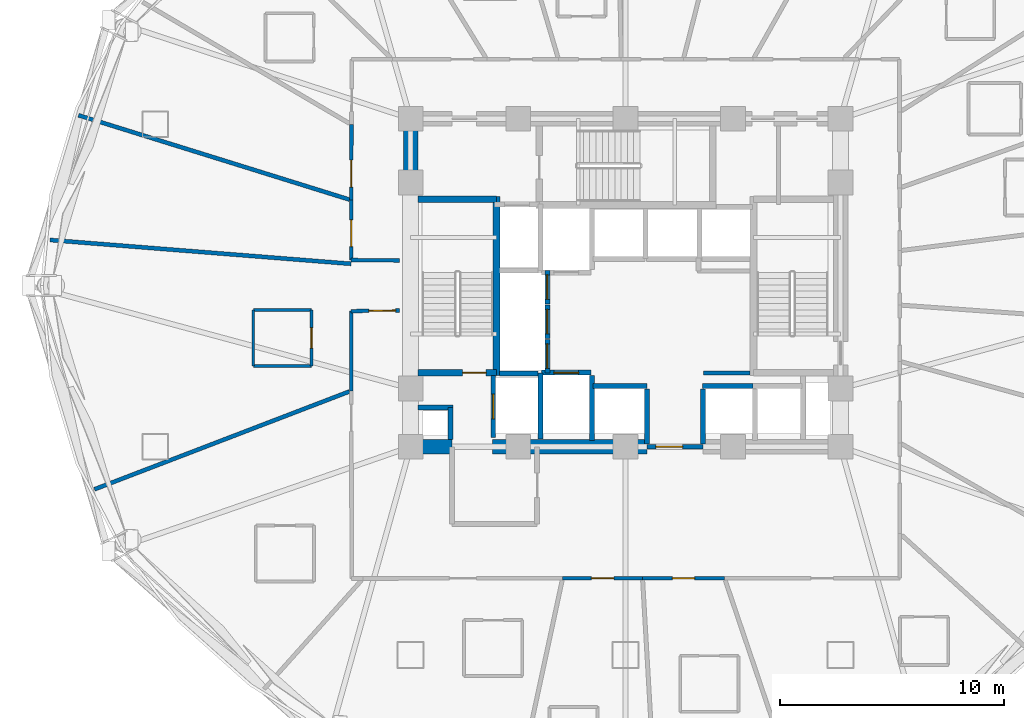
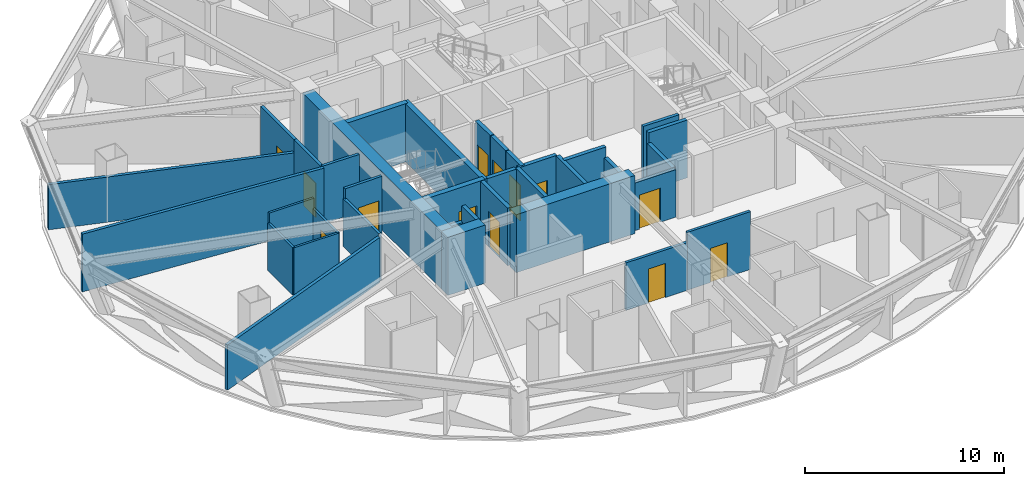
# One storey, part 5 of 12: 36 walls, 13 doors, 13 openings.
"""IFC4 building model written with IfcOpenShell, lengths in metres."""

from ifc_helpers import new_model, si_unit, direction, frame, frame_2d, origin, place, context, subcontext, project, spatial, rectangle, extrude, material, layer, layer_set, type_object, element, fill, save


model = new_model("IFC4")

# Units and contexts
model_context = context("Model", 3, precision=1e-05, world=origin(), true_north=direction((0.0, 1.0)))
body_context = subcontext(model_context, "Body", "Model", "MODEL_VIEW")
ifc_project = project(units=[si_unit("LENGTHUNIT", "METRE"), si_unit("AREAUNIT", "SQUARE_METRE"), si_unit("VOLUMEUNIT", "CUBIC_METRE"), si_unit("PLANEANGLEUNIT", "RADIAN"), si_unit("MASSUNIT", "GRAM", prefix="KILO")], contexts=[model_context])

# Site, building, storey
site_placement = place(None, origin())
site = spatial("IfcSite", under=ifc_project, at=site_placement, CompositionType="ELEMENT")
building_placement = place(site_placement, origin())
building = spatial("IfcBuilding", under=site, at=building_placement, Name="Vantalir Tower", CompositionType="ELEMENT")
storey_placement = place(building_placement, frame((0.0, 0.0, 38.25)))
storey = spatial("IfcBuildingStorey", under=building, at=storey_placement, Name="L08", CompositionType="ELEMENT", Elevation=38.25)

# Walls
ifc_material_1 = material(Name="Moisture-resistant en-suite partition", Category="gypsum")
ifc_layer_1 = layer(ifc_material_1, 0.125)
ifc_layer_set_1 = layer_set([ifc_layer_1], Name="Moisture-resistant en-suite partition")
wall_type_1 = type_object("IfcWallType", Name="WL-BATH-125", PredefinedType="PARTITIONING", material=ifc_layer_set_1)
wall_1_placement = place(storey_placement, frame((14.8759765625, 21.406982421875, 0.0), z_axis=(0.0, 0.0, 1.0), x_axis=(1.0, 0.0, 0.0)))
element("IfcWall", 1, at=wall_1_placement, inside=storey, type_object=wall_type_1, Name="L08 En-suite 13 South Wall", PredefinedType="PARTITIONING", context=body_context, shape_type="SweptSolid", body=[
    extrude(rectangle(XDim=2.60009765625, YDim=0.125, at=frame_2d((1.300048828125, 0.0))), origin(), (0.0, 0.0, 1.0), 2.927978515625),
])
wall_2_placement = place(storey_placement, frame((14.8759765625, 23.906982421875, 0.0), z_axis=(0.0, 0.0, 1.0), x_axis=(1.0, 0.0, 0.0)))
element("IfcWall", 2, at=wall_2_placement, inside=storey, type_object=wall_type_1, Name="L08 En-suite 13 North Wall", PredefinedType="PARTITIONING", context=body_context, shape_type="SweptSolid", body=[
    extrude(rectangle(XDim=2.60009765625, YDim=0.125, at=frame_2d((1.300048828125, 0.0))), origin(), (0.0, 0.0, 1.0), 3.550048828125),
])
wall_3_placement = place(storey_placement, frame((14.8759765625, 21.406982421875, 0.0), z_axis=(0.0, 0.0, 1.0), x_axis=(0.0, 1.0, 0.0)))
element("IfcWall", 3, at=wall_3_placement, inside=storey, type_object=wall_type_1, Name="L08 En-suite 13 West Wall", PredefinedType="PARTITIONING", context=body_context, shape_type="SweptSolid", body=[
    extrude(rectangle(XDim=2.5, YDim=0.125, at=frame_2d((1.25, 0.0))), origin(), (0.0, 0.0, 1.0), 2.927978515625),
])

# Wall, opening, door
wall_4_placement = place(storey_placement, frame((17.47607421875, 21.406982421875, 0.0), z_axis=(0.0, 0.0, 1.0), x_axis=(0.0, 1.0, 0.0)))
wall_4 = element("IfcWall", 4, at=wall_4_placement, inside=storey, type_object=wall_type_1, Name="L08 En-suite 13 East Wall", PredefinedType="PARTITIONING", context=body_context, shape_type="SweptSolid", body=[
    extrude(rectangle(XDim=2.5, YDim=0.125, at=frame_2d((1.25, 0.0))), origin(), (0.0, 0.0, 1.0), 2.927978515625),
])
opening_1_placement = place(wall_4_placement, frame((0.800048828125, 0.0, 0.0)))
opening_1 = element("IfcOpeningElement", 5, at=opening_1_placement, cuts=wall_4, Name="Opening D-WC", PredefinedType="OPENING", context=body_context, shape_type="SweptSolid", body=[
    extrude(rectangle(XDim=0.89990234375, YDim=2.10009765625, at=frame_2d((0.449951171875, 1.050048828125))), frame((0.0, 0.072509765625, 0.0), z_axis=(0.0, -1.0, 0.0), x_axis=(1.0, 0.0, 0.0)), (0.0, 0.0, 1.0), 0.14501953125),
])
ifc_material_2 = material(Name="Moisture-resistant hardwood door", Category="wood")
door_type_1 = type_object("IfcDoorType", Name="DR-ENSUITE-900", OperationType="NOTDEFINED", PredefinedType="DOOR", material=ifc_material_2)
door_1_placement = place(opening_1_placement, origin())
door_1 = element("IfcDoor", 6, at=door_1_placement, inside=storey, type_object=door_type_1, Name="L08 En-suite 13 Door", OperationType="SINGLE_SWING_RIGHT", OverallHeight=2.10009765625, OverallWidth=0.89990234375, PredefinedType="DOOR", context=body_context, shape_type="SweptSolid", body=[
    extrude(rectangle(XDim=0.89990234375, YDim=2.10009765625, at=frame_2d((0.449951171875, 1.050048828125))), frame((0.0, 0.02490234375, 0.0), z_axis=(0.0, -1.0, 0.0), x_axis=(1.0, 0.0, 0.0)), (0.0, 0.0, 1.0), 0.050048828125),
])
fill(opening_1, door_1)

# Walls
ifc_material_3 = material(Name="Concrete C60/75", Category="concrete")
ifc_layer_2 = layer(ifc_material_3, 0.64990234375)
ifc_layer_set_2 = layer_set([ifc_layer_2], Name="Concrete C60/75")
wall_type_2 = type_object("IfcWallType", Name="WL-CORE-650", PredefinedType="SHEAR", material=ifc_layer_set_2)
wall_5_placement = place(storey_placement, frame((21.574951171875, 17.800048828125, 0.0), z_axis=(0.0, 0.0, 1.0), x_axis=(1.0, 0.0, 0.0)))
element("IfcWall", 7, at=wall_5_placement, inside=storey, type_object=wall_type_2, Name="L08 Core Shear Wall South-West", PredefinedType="SHEAR", context=body_context, shape_type="SweptSolid", body=[
    extrude(rectangle(XDim=2.175048828125, YDim=0.64990234375, at=frame_2d((1.08740234375, 0.0))), origin(), (0.0, 0.0, 1.0), 3.570068359375),
])
wall_6_placement = place(storey_placement, frame((25.550048828125, 17.800048828125, 0.0), z_axis=(0.0, 0.0, 1.0), x_axis=(1.0, 0.0, 0.0)))
element("IfcWall", 8, at=wall_6_placement, inside=storey, type_object=wall_type_2, Name="L08 Core Shear Wall South-Mid", PredefinedType="SHEAR", context=body_context, shape_type="SweptSolid", body=[
    extrude(rectangle(XDim=6.89990234375, YDim=0.64990234375, at=frame_2d((3.449951171875, 0.0))), origin(), (0.0, 0.0, 1.0), 3.570068359375),
])
wall_7_placement = place(storey_placement, frame((21.89990234375, 18.125, 0.0), z_axis=(0.0, 0.0, 1.0), x_axis=(0.0, 1.0, 0.0)))
element("IfcWall", 9, at=wall_7_placement, inside=storey, type_object=wall_type_2, Name="L08 Core Shear Wall West", PredefinedType="SHEAR", context=body_context, shape_type="SweptSolid", body=[
    extrude(rectangle(XDim=14.0, YDim=0.64990234375, at=frame_2d((7.0, 0.0))), origin(), (0.0, 0.0, 1.0), 3.570068359375),
])
ifc_material_4 = material(Name="Fire-rated hotel corridor acoustic partition", Category="gypsum")
ifc_layer_3 = layer(ifc_material_4, 0.159912109375)
ifc_layer_set_3 = layer_set([ifc_layer_3], Name="Fire-rated hotel corridor acoustic partition")
wall_type_3 = type_object("IfcWallType", Name="WL-CORR-160", PredefinedType="PARTITIONING", material=ifc_layer_set_3)
wall_8_placement = place(storey_placement, frame((21.39501953125, 26.116943359375, 0.0), z_axis=(0.0, 0.0, 1.0), x_axis=(-0.999931415362, 0.011711727972, 0.0)))
element("IfcWall", 10, at=wall_8_placement, inside=storey, type_object=wall_type_3, Name="L08 Corridor Partition 01", PredefinedType="PARTITIONING", context=body_context, shape_type="SweptSolid", body=[
    extrude(rectangle(XDim=2.147216796875, YDim=0.159912109375, at=frame_2d((1.07373046875, 0.0))), origin(), (0.0, 0.0, 1.0), 3.550048828125),
])

# Wall, opening, door
wall_9_placement = place(storey_placement, frame((19.248046875, 26.14208984375, 0.0), z_axis=(0.0, 0.0, 1.0), x_axis=(0.002195384391, 0.999997590141, 0.0)))
wall_9 = element("IfcWall", 11, at=wall_9_placement, inside=storey, type_object=wall_type_3, Name="L08 Corridor Partition 02", PredefinedType="PARTITIONING", context=body_context, shape_type="SweptSolid", body=[
    extrude(rectangle(XDim=2.6689453125, YDim=0.159912109375, at=frame_2d((1.33447265625, 0.0))), origin(), (0.0, 0.0, 1.0), 3.550048828125),
])
opening_2_placement = place(wall_9_placement, frame((0.591064453125, 0.0, 0.0)))
opening_2 = element("IfcOpeningElement", 12, at=opening_2_placement, cuts=wall_9, Name="Opening D-STE", PredefinedType="OPENING", context=body_context, shape_type="SweptSolid", body=[
    extrude(rectangle(XDim=1.199951171875, YDim=2.10009765625, at=frame_2d((0.60009765625, 1.050048828125))), frame((0.0, 0.08984375, 0.0), z_axis=(0.0, -1.0, 0.0), x_axis=(1.0, 0.0, 0.0)), (0.0, 0.0, 1.0), 0.179931640625),
])
ifc_material_5 = material(Name="Solid-core teak veneer suite entrance door", Category="wood")
door_type_2 = type_object("IfcDoorType", Name="DR-SUITE-ENTRY-1200", OperationType="NOTDEFINED", PredefinedType="DOOR", material=ifc_material_5)
door_2_placement = place(opening_2_placement, origin())
door_2 = element("IfcDoor", 13, at=door_2_placement, inside=storey, type_object=door_type_2, Name="L08 Executive Sky Boardroom 12 Door", OperationType="SINGLE_SWING_RIGHT", OverallHeight=2.10009765625, OverallWidth=1.199951171875, PredefinedType="DOOR", context=body_context, shape_type="SweptSolid", body=[
    extrude(rectangle(XDim=1.199951171875, YDim=2.10009765625, at=frame_2d((0.60009765625, 1.050048828125))), frame((0.0, 0.02490234375, 0.0), z_axis=(0.0, -1.0, 0.0), x_axis=(1.0, 0.0, 0.0)), (0.0, 0.0, 1.0), 0.050048828125),
])
fill(opening_2, door_2)

wall_10_placement = place(storey_placement, frame((19.25390625, 28.81103515625, 0.0), z_axis=(0.0, 0.0, 1.0), x_axis=(0.002388528218, 0.999997147462, 0.0)))
wall_10 = element("IfcWall", 14, at=wall_10_placement, inside=storey, type_object=wall_type_3, Name="L08 Corridor Partition 03", PredefinedType="PARTITIONING", context=body_context, shape_type="SweptSolid", body=[
    extrude(rectangle(XDim=3.373046875, YDim=0.159912109375, at=frame_2d((1.6865234375, 0.0))), origin(), (0.0, 0.0, 1.0), 3.550048828125),
])
opening_3_placement = place(wall_10_placement, frame((0.587890625, 0.0, 0.0)))
opening_3 = element("IfcOpeningElement", 15, at=opening_3_placement, cuts=wall_10, Name="Opening D-STE", PredefinedType="OPENING", context=body_context, shape_type="SweptSolid", body=[
    extrude(rectangle(XDim=1.199951171875, YDim=2.10009765625, at=frame_2d((0.60009765625, 1.050048828125))), frame((0.0, 0.08984375, 0.0), z_axis=(0.0, -1.0, 0.0), x_axis=(1.0, 0.0, 0.0)), (0.0, 0.0, 1.0), 0.179931640625),
])
door_3_placement = place(opening_3_placement, origin())
door_3 = element("IfcDoor", 16, at=door_3_placement, inside=storey, type_object=door_type_2, Name="L08 Club Reading Lounge 11 Door", OperationType="SINGLE_SWING_LEFT", OverallHeight=2.10009765625, OverallWidth=1.199951171875, PredefinedType="DOOR", context=body_context, shape_type="SweptSolid", body=[
    extrude(rectangle(XDim=1.199951171875, YDim=2.10009765625, at=frame_2d((0.60009765625, 1.050048828125))), frame((0.0, 0.02490234375, 0.0), z_axis=(0.0, -1.0, 0.0), x_axis=(1.0, 0.0, 0.0)), (0.0, 0.0, 1.0), 0.050048828125),
])
fill(opening_3, door_3)

wall_11_placement = place(storey_placement, frame((35.9208984375, 11.927978515625, 0.0), z_axis=(0.0, 0.0, 1.0), x_axis=(-0.999999857835, -0.000533226612, 0.0)))
wall_11 = element("IfcWall", 17, at=wall_11_placement, inside=storey, type_object=wall_type_3, Name="L08 Corridor Partition 22", PredefinedType="PARTITIONING", context=body_context, shape_type="SweptSolid", body=[
    extrude(rectangle(XDim=3.662841796875, YDim=0.159912109375, at=frame_2d((1.83154296875, 0.0))), origin(), (0.0, 0.0, 1.0), 3.550048828125),
])
opening_4_placement = place(wall_11_placement, frame((1.33203125, 0.0, 0.0)))
opening_4 = element("IfcOpeningElement", 18, at=opening_4_placement, cuts=wall_11, Name="Opening D-GUEST", PredefinedType="OPENING", context=body_context, shape_type="SweptSolid", body=[
    extrude(rectangle(XDim=1.0, YDim=2.10009765625, at=frame_2d((0.5, 1.050048828125))), frame((0.0, 0.08984375, 0.0), z_axis=(0.0, -1.0, 0.0), x_axis=(1.0, 0.0, 0.0)), (0.0, 0.0, 1.0), 0.179931640625),
])
ifc_material_6 = material(Name="Solid-core teak veneer acoustic fire door", Category="wood")
door_type_3 = type_object("IfcDoorType", Name="DR-GUEST-ENTRY-1000", OperationType="NOTDEFINED", PredefinedType="DOOR", material=ifc_material_6)
door_4_placement = place(opening_4_placement, origin())
door_4 = element("IfcDoor", 19, at=door_4_placement, inside=storey, type_object=door_type_3, Name="L08 Twin Queen Hotel Room 17 Door", OperationType="SINGLE_SWING_LEFT", OverallHeight=2.10009765625, OverallWidth=1.0, PredefinedType="DOOR", context=body_context, shape_type="SweptSolid", body=[
    extrude(rectangle(XDim=1.0, YDim=2.10009765625, at=frame_2d((0.5, 1.050048828125))), frame((0.0, 0.02490234375, 0.0), z_axis=(0.0, -1.0, 0.0), x_axis=(1.0, 0.0, 0.0)), (0.0, 0.0, 1.0), 0.050048828125),
])
fill(opening_4, door_4)

wall_12_placement = place(storey_placement, frame((32.258056640625, 11.926025390625, 0.0), z_axis=(0.0, 0.0, 1.0), x_axis=(-0.99999985035, -0.00054708328, 0.0)))
wall_12 = element("IfcWall", 20, at=wall_12_placement, inside=storey, type_object=wall_type_3, Name="L08 Corridor Partition 23", PredefinedType="PARTITIONING", context=body_context, shape_type="SweptSolid", body=[
    extrude(rectangle(XDim=3.570068359375, YDim=0.159912109375, at=frame_2d((1.78515625, 0.0))), origin(), (0.0, 0.0, 1.0), 2.927978515625),
])
opening_5_placement = place(wall_12_placement, frame((1.284912109375, 0.0, 0.0)))
opening_5 = element("IfcOpeningElement", 21, at=opening_5_placement, cuts=wall_12, Name="Opening D-GUEST", PredefinedType="OPENING", context=body_context, shape_type="SweptSolid", body=[
    extrude(rectangle(XDim=1.0, YDim=2.10009765625, at=frame_2d((0.5, 1.050048828125))), frame((0.0, 0.08984375, 0.0), z_axis=(0.0, -1.0, 0.0), x_axis=(1.0, 0.0, 0.0)), (0.0, 0.0, 1.0), 0.179931640625),
])
door_5_placement = place(opening_5_placement, origin())
door_5 = element("IfcDoor", 22, at=door_5_placement, inside=storey, type_object=door_type_3, Name="L08 Deluxe King Hotel Room 16 Door", OperationType="SINGLE_SWING_RIGHT", OverallHeight=2.10009765625, OverallWidth=1.0, PredefinedType="DOOR", context=body_context, shape_type="SweptSolid", body=[
    extrude(rectangle(XDim=1.0, YDim=2.10009765625, at=frame_2d((0.5, 1.050048828125))), frame((0.0, 0.02490234375, 0.0), z_axis=(0.0, -1.0, 0.0), x_axis=(1.0, 0.0, 0.0)), (0.0, 0.0, 1.0), 0.050048828125),
])
fill(opening_5, door_5)

# Wall
wall_13_placement = place(storey_placement, frame((19.25390625, 20.301025390625, 0.0), z_axis=(0.0, 0.0, 1.0), x_axis=(-0.001647331144, 0.999998643149, 0.0)))
element("IfcWall", 23, at=wall_13_placement, inside=storey, type_object=wall_type_3, Name="L08 Corridor Partition 27", PredefinedType="PARTITIONING", context=body_context, shape_type="SweptSolid", body=[
    extrude(rectangle(XDim=3.556884765625, YDim=0.159912109375, at=frame_2d((1.7783203125, 0.0))), origin(), (0.0, 0.0, 1.0), 2.927978515625),
])

# Wall, opening, door
wall_14_placement = place(storey_placement, frame((19.248046875, 23.85791015625, 0.0), z_axis=(0.0, 0.0, 1.0), x_axis=(0.999908455688, 0.013530714831, 0.0)))
wall_14 = element("IfcWall", 24, at=wall_14_placement, inside=storey, type_object=wall_type_3, Name="L08 Corridor Partition 28", PredefinedType="PARTITIONING", context=body_context, shape_type="SweptSolid", body=[
    extrude(rectangle(XDim=2.147216796875, YDim=0.159912109375, at=frame_2d((1.07373046875, 0.0))), origin(), (0.0, 0.0, 1.0), 3.550048828125),
])
opening_6_placement = place(wall_14_placement, frame((0.787109375, 0.0, 0.0)))
opening_6 = element("IfcOpeningElement", 25, at=opening_6_placement, cuts=wall_14, Name="Opening D-STE", PredefinedType="OPENING", context=body_context, shape_type="SweptSolid", body=[
    extrude(rectangle(XDim=1.199951171875, YDim=2.10009765625, at=frame_2d((0.60009765625, 1.050048828125))), frame((0.0, 0.08984375, 0.0), z_axis=(0.0, -1.0, 0.0), x_axis=(1.0, 0.0, 0.0)), (0.0, 0.0, 1.0), 0.179931640625),
])
door_6_placement = place(opening_6_placement, origin())
door_6 = element("IfcDoor", 26, at=door_6_placement, inside=storey, type_object=door_type_2, Name="L08 Corner Panorama Hotel Suite 13 Door", OperationType="SINGLE_SWING_LEFT", OverallHeight=2.10009765625, OverallWidth=1.199951171875, PredefinedType="DOOR", context=body_context, shape_type="SweptSolid", body=[
    extrude(rectangle(XDim=1.199951171875, YDim=2.10009765625, at=frame_2d((0.60009765625, 1.050048828125))), frame((0.0, 0.02490234375, 0.0), z_axis=(0.0, -1.0, 0.0), x_axis=(1.0, 0.0, 0.0)), (0.0, 0.0, 1.0), 0.050048828125),
])
fill(opening_6, door_6)

# Walls
ifc_material_7 = material(Name="Concrete blockwork with fireboard lining", Category="masonry")
ifc_layer_4 = layer(ifc_material_7, 0.219970703125)
ifc_layer_set_4 = layer_set([ifc_layer_4], Name="Concrete blockwork with fireboard lining")
wall_type_4 = type_object("IfcWallType", Name="WL-FFL-220", PredefinedType="PARTITIONING", material=ifc_layer_set_4)
wall_15_placement = place(storey_placement, frame((30.0, 18.080078125, 0.0), z_axis=(0.0, 0.0, 1.0), x_axis=(0.0, 1.0, 0.0)))
element("IfcWall", 27, at=wall_15_placement, inside=storey, type_object=wall_type_4, Name="L08 Service Lift SV1 East Shaft Wall", PredefinedType="PARTITIONING", context=body_context, shape_type="SweptSolid", body=[
    extrude(rectangle(XDim=2.89990234375, YDim=0.219970703125, at=frame_2d((1.449951171875, 0.0))), origin(), (0.0, 0.0, 1.0), 3.544921875),
])
for number, where, z_axis, x_axis, name in (
    (28, (32.449951171875, 17.919921875, 0.0), (0.0, 0.0, 1.0), (0.0, 1.0, 0.0), "L08 Shuttle Lift PL-X1 East Shaft Cheek"),
    (29, (34.949951171875, 17.919921875, 0.0), (0.0, 0.0, 1.0), (0.0, 1.0, 0.0), "L08 Shuttle Lift PL-X3 West Shaft Cheek"),
):
    element("IfcWall", number, at=place(storey_placement, frame(where, z_axis=z_axis, x_axis=x_axis)), inside=storey, type_object=wall_type_4, Name=name, PredefinedType="PARTITIONING", context=body_context, shape_type="SweptSolid", body=[
        extrude(rectangle(XDim=2.469970703125, YDim=0.219970703125, at=frame_2d((1.23486328125, 0.0))), origin(), (0.0, 0.0, 1.0), 2.927978515625),
    ])

# Wall, opening, door
wall_16_placement = place(storey_placement, frame((32.449951171875, 17.800048828125, 0.0), z_axis=(0.0, 0.0, 1.0), x_axis=(1.0, 0.0, 0.0)))
wall_16 = element("IfcWall", 30, at=wall_16_placement, inside=storey, type_object=wall_type_4, Name="L08 Passenger Lift Lobby South Wall", PredefinedType="PARTITIONING", context=body_context, shape_type="SweptSolid", body=[
    extrude(rectangle(XDim=2.5, YDim=0.219970703125, at=frame_2d((1.25, 0.0))), origin(), (0.0, 0.0, 1.0), 2.927978515625),
])
opening_7_placement = place(wall_16_placement, frame((0.39990234375, 0.0, 0.0)))
opening_7 = element("IfcOpeningElement", 31, at=opening_7_placement, cuts=wall_16, Name="Opening D-STE", PredefinedType="OPENING", context=body_context, shape_type="SweptSolid", body=[
    extrude(rectangle(XDim=1.199951171875, YDim=2.10009765625, at=frame_2d((0.60009765625, 1.050048828125))), frame((0.0, 0.119873046875, 0.0), z_axis=(0.0, -1.0, 0.0), x_axis=(1.0, 0.0, 0.0)), (0.0, 0.0, 1.0), 0.239990234375),
])
door_7_placement = place(opening_7_placement, origin())
door_7 = element("IfcDoor", 32, at=door_7_placement, inside=storey, type_object=door_type_2, Name="L08 Passenger Lift Lobby Concourse Door", OperationType="SINGLE_SWING_LEFT", OverallHeight=2.10009765625, OverallWidth=1.199951171875, PredefinedType="DOOR", context=body_context, shape_type="SweptSolid", body=[
    extrude(rectangle(XDim=1.199951171875, YDim=2.10009765625, at=frame_2d((0.60009765625, 1.050048828125))), frame((0.0, 0.02490234375, 0.0), z_axis=(0.0, -1.0, 0.0), x_axis=(1.0, 0.0, 0.0)), (0.0, 0.0, 1.0), 0.050048828125),
])
fill(opening_7, door_7)

# Walls
wall_17_placement = place(storey_placement, frame((23.679931640625, 18.125, 0.0), z_axis=(0.0, 0.0, 1.0), x_axis=(0.0, 1.0, 0.0)))
element("IfcWall", 33, at=wall_17_placement, inside=storey, type_object=wall_type_4, Name="L08 West MEP Riser Wall E", PredefinedType="PARTITIONING", context=body_context, shape_type="SweptSolid", body=[
    extrude(rectangle(XDim=1.425048828125, YDim=0.219970703125, at=frame_2d((0.71240234375, 0.0))), origin(), (0.0, 0.0, 1.0), 3.550048828125),
])
wall_18_placement = place(storey_placement, frame((22.22509765625, 19.550048828125, 0.0), z_axis=(0.0, 0.0, 1.0), x_axis=(1.0, 0.0, 0.0)))
element("IfcWall", 34, at=wall_18_placement, inside=storey, type_object=wall_type_4, Name="L08 West MEP Riser Wall N", PredefinedType="PARTITIONING", context=body_context, shape_type="SweptSolid", body=[
    extrude(rectangle(XDim=1.56494140625, YDim=0.219970703125, at=frame_2d((0.782470703125, 0.0))), origin(), (0.0, 0.0, 1.0), 2.594970703125),
])

# Wall, opening, door
wall_19_placement = place(storey_placement, frame((25.590087890625, 18.219970703125, 0.0), z_axis=(0.0, 0.0, 1.0), x_axis=(0.0, 1.0, 0.0)))
wall_19 = element("IfcWall", 35, at=wall_19_placement, inside=storey, type_object=wall_type_4, Name="L08 Lift FL1 Shaft Front Wall", PredefinedType="PARTITIONING", context=body_context, shape_type="SweptSolid", body=[
    extrude(rectangle(XDim=2.760009765625, YDim=0.219970703125, at=frame_2d((1.3798828125, 0.0))), origin(), (0.0, 0.0, 1.0), 3.550048828125),
])
opening_8_placement = place(wall_19_placement, frame((0.830078125, 0.0, 0.0)))
opening_8 = element("IfcOpeningElement", 36, at=opening_8_placement, cuts=wall_19, Name="Opening LD-FL1", PredefinedType="OPENING", context=body_context, shape_type="SweptSolid", body=[
    extrude(rectangle(XDim=1.10009765625, YDim=2.199951171875, at=frame_2d((0.550048828125, 1.10009765625))), frame((0.0, 0.119873046875, 0.0), z_axis=(0.0, -1.0, 0.0), x_axis=(1.0, 0.0, 0.0)), (0.0, 0.0, 1.0), 0.239990234375),
])
ifc_material_8 = material(Name="Brushed stainless-steel sliding lift landing door", Category="steel")
door_type_4 = type_object("IfcDoorType", Name="DR-LIFT-LANDING-1100", OperationType="DOUBLE_DOOR_SLIDING", PredefinedType="DOOR", material=ifc_material_8)
door_8_placement = place(opening_8_placement, origin())
door_8 = element("IfcDoor", 37, at=door_8_placement, inside=storey, type_object=door_type_4, Name="L08 Lift Landing Door FL1", OperationType="DOUBLE_DOOR_SLIDING", OverallHeight=2.199951171875, OverallWidth=1.10009765625, PredefinedType="DOOR", context=body_context, shape_type="SweptSolid", body=[
    extrude(rectangle(XDim=1.10009765625, YDim=2.199951171875, at=frame_2d((0.550048828125, 1.10009765625))), frame((0.0, 0.02490234375, 0.0), z_axis=(0.0, -1.0, 0.0), x_axis=(1.0, 0.0, 0.0)), (0.0, 0.0, 1.0), 0.050048828125),
])
fill(opening_8, door_8)

wall_20_placement = place(storey_placement, frame((27.739990234375, 21.110107421875, 0.0), z_axis=(0.0, 0.0, 1.0), x_axis=(1.0, 0.0, 0.0)))
wall_20 = element("IfcWall", 38, at=wall_20_placement, inside=storey, type_object=wall_type_4, Name="L08 Lift SV1 Shaft Front Wall", PredefinedType="PARTITIONING", context=body_context, shape_type="SweptSolid", body=[
    extrude(rectangle(XDim=2.219970703125, YDim=0.219970703125, at=frame_2d((1.10986328125, 0.0))), origin(), (0.0, 0.0, 1.0), 3.550048828125),
])
opening_9_placement = place(wall_20_placement, frame((0.56005859375, 0.0, 0.0)))
opening_9 = element("IfcOpeningElement", 39, at=opening_9_placement, cuts=wall_20, Name="Opening LD-SV1", PredefinedType="OPENING", context=body_context, shape_type="SweptSolid", body=[
    extrude(rectangle(XDim=1.10009765625, YDim=2.199951171875, at=frame_2d((0.550048828125, 1.10009765625))), frame((0.0, 0.119873046875, 0.0), z_axis=(0.0, -1.0, 0.0), x_axis=(1.0, 0.0, 0.0)), (0.0, 0.0, 1.0), 0.239990234375),
])
door_9_placement = place(opening_9_placement, origin())
door_9 = element("IfcDoor", 40, at=door_9_placement, inside=storey, type_object=door_type_4, Name="L08 Lift Landing Door SV1", OperationType="DOUBLE_DOOR_SLIDING", OverallHeight=2.199951171875, OverallWidth=1.10009765625, PredefinedType="DOOR", context=body_context, shape_type="SweptSolid", body=[
    extrude(rectangle(XDim=1.10009765625, YDim=2.199951171875, at=frame_2d((0.550048828125, 1.10009765625))), frame((0.0, 0.02490234375, 0.0), z_axis=(0.0, -1.0, 0.0), x_axis=(1.0, 0.0, 0.0)), (0.0, 0.0, 1.0), 0.050048828125),
])
fill(opening_9, door_9)

# Walls
wall_21_placement = place(storey_placement, frame((30.0400390625, 20.510009765625, 0.0), z_axis=(0.0, 0.0, 1.0), x_axis=(1.0, 0.0, 0.0)))
element("IfcWall", 41, at=wall_21_placement, inside=storey, type_object=wall_type_4, Name="L08 Lift PL-X1 Shaft Front Wall", PredefinedType="PARTITIONING", context=body_context, shape_type="SweptSolid", body=[
    extrude(rectangle(XDim=2.419921875, YDim=0.219970703125, at=frame_2d((1.2099609375, 0.0))), origin(), (0.0, 0.0, 1.0), 3.550048828125),
])
wall_22_placement = place(storey_placement, frame((34.93994140625, 20.510009765625, 0.0), z_axis=(0.0, 0.0, 1.0), x_axis=(1.0, 0.0, 0.0)))
element("IfcWall", 42, at=wall_22_placement, inside=storey, type_object=wall_type_4, Name="L08 Lift PL-X3 Shaft Front Wall", PredefinedType="PARTITIONING", context=body_context, shape_type="SweptSolid", body=[
    extrude(rectangle(XDim=2.239990234375, YDim=0.219970703125, at=frame_2d((1.1201171875, 0.0))), origin(), (0.0, 0.0, 1.0), 3.550048828125),
])

# Wall, opening, door
wall_23_placement = place(storey_placement, frame((28.010009765625, 21.10009765625, 0.0), z_axis=(0.0, 0.0, 1.0), x_axis=(0.0, 1.0, 0.0)))
wall_23 = element("IfcWall", 43, at=wall_23_placement, inside=storey, type_object=wall_type_4, Name="L08 Lift PL-L1 Shaft Front Wall", PredefinedType="PARTITIONING", context=body_context, shape_type="SweptSolid", body=[
    extrude(rectangle(XDim=1.5, YDim=0.219970703125, at=frame_2d((0.75, 0.0))), origin(), (0.0, 0.0, 1.0), 3.550048828125),
])
opening_10_placement = place(wall_23_placement, frame((0.199951171875, 0.0, 0.0)))
opening_10 = element("IfcOpeningElement", 44, at=opening_10_placement, cuts=wall_23, Name="Opening LD-PL-L1", PredefinedType="OPENING", context=body_context, shape_type="SweptSolid", body=[
    extrude(rectangle(XDim=1.10009765625, YDim=2.199951171875, at=frame_2d((0.550048828125, 1.10009765625))), frame((0.0, 0.119873046875, 0.0), z_axis=(0.0, -1.0, 0.0), x_axis=(1.0, 0.0, 0.0)), (0.0, 0.0, 1.0), 0.239990234375),
])
door_10_placement = place(opening_10_placement, frame((1.10009765625, 0.0, 0.0), z_axis=(0.0, 0.0, 1.0), x_axis=(-1.0, 0.0, 0.0)))
door_10 = element("IfcDoor", 45, at=door_10_placement, inside=storey, type_object=door_type_4, Name="L08 Lift Landing Door PL-L1", OperationType="DOUBLE_DOOR_SLIDING", OverallHeight=2.199951171875, OverallWidth=1.10009765625, PredefinedType="DOOR", context=body_context, shape_type="SweptSolid", body=[
    extrude(rectangle(XDim=1.10009765625, YDim=2.199951171875, at=frame_2d((0.550048828125, 1.10009765625))), frame((0.0, 0.02490234375, 0.0), z_axis=(0.0, -1.0, 0.0), x_axis=(1.0, 0.0, 0.0)), (0.0, 0.0, 1.0), 0.050048828125),
])
fill(opening_10, door_10)

wall_24_placement = place(storey_placement, frame((28.010009765625, 22.639892578125, 0.0), z_axis=(0.0, 0.0, 1.0), x_axis=(0.0, 1.0, 0.0)))
wall_24 = element("IfcWall", 46, at=wall_24_placement, inside=storey, type_object=wall_type_4, Name="L08 Lift PL-L2 Shaft Front Wall", PredefinedType="PARTITIONING", context=body_context, shape_type="SweptSolid", body=[
    extrude(rectangle(XDim=1.5, YDim=0.219970703125, at=frame_2d((0.75, 0.0))), origin(), (0.0, 0.0, 1.0), 3.550048828125),
])
opening_11_placement = place(wall_24_placement, frame((0.199951171875, 0.0, 0.0)))
opening_11 = element("IfcOpeningElement", 47, at=opening_11_placement, cuts=wall_24, Name="Opening LD-PL-L2", PredefinedType="OPENING", context=body_context, shape_type="SweptSolid", body=[
    extrude(rectangle(XDim=1.10009765625, YDim=2.199951171875, at=frame_2d((0.550048828125, 1.10009765625))), frame((0.0, 0.119873046875, 0.0), z_axis=(0.0, -1.0, 0.0), x_axis=(1.0, 0.0, 0.0)), (0.0, 0.0, 1.0), 0.239990234375),
])
door_11_placement = place(opening_11_placement, frame((1.10009765625, 0.0, 0.0), z_axis=(0.0, 0.0, 1.0), x_axis=(-1.0, 0.0, 0.0)))
door_11 = element("IfcDoor", 48, at=door_11_placement, inside=storey, type_object=door_type_4, Name="L08 Lift Landing Door PL-L2", OperationType="DOUBLE_DOOR_SLIDING", OverallHeight=2.199951171875, OverallWidth=1.10009765625, PredefinedType="DOOR", context=body_context, shape_type="SweptSolid", body=[
    extrude(rectangle(XDim=1.10009765625, YDim=2.199951171875, at=frame_2d((0.550048828125, 1.10009765625))), frame((0.0, 0.02490234375, 0.0), z_axis=(0.0, -1.0, 0.0), x_axis=(1.0, 0.0, 0.0)), (0.0, 0.0, 1.0), 0.050048828125),
])
fill(opening_11, door_11)

wall_25_placement = place(storey_placement, frame((28.010009765625, 24.179931640625, 0.0), z_axis=(0.0, 0.0, 1.0), x_axis=(0.0, 1.0, 0.0)))
wall_25 = element("IfcWall", 49, at=wall_25_placement, inside=storey, type_object=wall_type_4, Name="L08 Lift PL-L3 Shaft Front Wall", PredefinedType="PARTITIONING", context=body_context, shape_type="SweptSolid", body=[
    extrude(rectangle(XDim=1.5, YDim=0.219970703125, at=frame_2d((0.75, 0.0))), origin(), (0.0, 0.0, 1.0), 3.550048828125),
])
opening_12_placement = place(wall_25_placement, frame((0.199951171875, 0.0, 0.0)))
opening_12 = element("IfcOpeningElement", 50, at=opening_12_placement, cuts=wall_25, Name="Opening LD-PL-L3", PredefinedType="OPENING", context=body_context, shape_type="SweptSolid", body=[
    extrude(rectangle(XDim=1.10009765625, YDim=2.199951171875, at=frame_2d((0.550048828125, 1.10009765625))), frame((0.0, 0.119873046875, 0.0), z_axis=(0.0, -1.0, 0.0), x_axis=(1.0, 0.0, 0.0)), (0.0, 0.0, 1.0), 0.239990234375),
])
door_12_placement = place(opening_12_placement, frame((1.10009765625, 0.0, 0.0), z_axis=(0.0, 0.0, 1.0), x_axis=(-1.0, 0.0, 0.0)))
door_12 = element("IfcDoor", 51, at=door_12_placement, inside=storey, type_object=door_type_4, Name="L08 Lift Landing Door PL-L3", OperationType="DOUBLE_DOOR_SLIDING", OverallHeight=2.199951171875, OverallWidth=1.10009765625, PredefinedType="DOOR", context=body_context, shape_type="SweptSolid", body=[
    extrude(rectangle(XDim=1.10009765625, YDim=2.199951171875, at=frame_2d((0.550048828125, 1.10009765625))), frame((0.0, 0.02490234375, 0.0), z_axis=(0.0, -1.0, 0.0), x_axis=(1.0, 0.0, 0.0)), (0.0, 0.0, 1.0), 0.050048828125),
])
fill(opening_12, door_12)

# Walls
wall_26_placement = place(storey_placement, frame((27.699951171875, 18.14990234375, 0.0), z_axis=(0.0, 0.0, 1.0), x_axis=(0.0, 1.0, 0.0)))
element("IfcWall", 52, at=wall_26_placement, inside=storey, type_object=wall_type_4, Name="L08 Fire Lift FL1 Dividing Wall", PredefinedType="PARTITIONING", context=body_context, shape_type="SweptSolid", body=[
    extrude(rectangle(XDim=2.9501953125, YDim=0.219970703125, at=frame_2d((1.47509765625, 0.0))), origin(), (0.0, 0.0, 1.0), 3.550048828125),
])
wall_27_placement = place(storey_placement, frame((25.8798828125, 21.080078125, 0.0), z_axis=(0.0, 0.0, 1.0), x_axis=(1.0, 0.0, 0.0)))
element("IfcWall", 53, at=wall_27_placement, inside=storey, type_object=wall_type_4, Name="L08 Low-Rise Bank South Wall", PredefinedType="PARTITIONING", context=body_context, shape_type="SweptSolid", body=[
    extrude(rectangle(XDim=1.7001953125, YDim=0.219970703125, at=frame_2d((0.85009765625, 0.0))), origin(), (0.0, 0.0, 1.0), 3.550048828125),
])
ifc_material_9 = material(Name="Twin-stud acoustic fire-rated gypsum partition", Category="gypsum")
ifc_layer_5 = layer(ifc_material_9, 0.179931640625)
ifc_layer_set_5 = layer_set([ifc_layer_5], Name="Twin-stud acoustic fire-rated gypsum partition")
wall_type_5 = type_object("IfcWallType", Name="WL-GUEST-180", PredefinedType="PARTITIONING", material=ifc_layer_set_5)
wall_28_placement = place(storey_placement, frame((34.97998046875, 21.10009765625, 0.0), z_axis=(0.0, 0.0, 1.0), x_axis=(1.0, 0.0, 0.0)))
element("IfcWall", 54, at=wall_28_placement, inside=storey, type_object=wall_type_5, Name="L08 Freed East Core South Wall", PredefinedType="PARTITIONING", context=body_context, shape_type="SweptSolid", body=[
    extrude(rectangle(XDim=2.080078125, YDim=0.179931640625, at=frame_2d((1.0400390625, 0.0))), origin(), (0.0, 0.0, 1.0), 3.550048828125),
])
wall_29_placement = place(storey_placement, frame((19.172119140625, 28.8369140625, 0.0), z_axis=(0.0, 0.0, 1.0), x_axis=(-0.954826900119, 0.2971625663, 0.0)))
element("IfcWall", 55, at=wall_29_placement, inside=storey, type_object=wall_type_5, Name="L08 Radial Suite Partition 12", PredefinedType="PARTITIONING", context=body_context, shape_type="SweptSolid", body=[
    extrude(rectangle(XDim=12.673583984375, YDim=0.179931640625, at=frame_2d((6.3369140625, 0.0))), origin(), (0.0, 0.0, 1.0), 2.77490234375),
])
wall_30_placement = place(storey_placement, frame((19.24609375, 25.968994140625, 0.0), z_axis=(0.0, 0.0, 1.0), x_axis=(-0.996883968541, 0.078881894415, 0.0)))
element("IfcWall", 56, at=wall_30_placement, inside=storey, type_object=wall_type_5, Name="L08 Radial Suite Partition 13", PredefinedType="PARTITIONING", context=body_context, shape_type="SweptSolid", body=[
    extrude(rectangle(XDim=13.488037109375, YDim=0.179931640625, at=frame_2d((6.744140625, 0.0))), origin(), (0.0, 0.0, 1.0), 3.550048828125),
])
wall_31_placement = place(storey_placement, frame((19.172119140625, 20.27001953125, 0.0), z_axis=(0.0, 0.0, 1.0), x_axis=(-0.933624963534, -0.358251905043, 0.0)))
element("IfcWall", 57, at=wall_31_placement, inside=storey, type_object=wall_type_5, Name="L08 Radial Suite Partition 14", PredefinedType="PARTITIONING", context=body_context, shape_type="SweptSolid", body=[
    extrude(rectangle(XDim=12.19580078125, YDim=0.179931640625, at=frame_2d((6.097900390625, 0.0))), origin(), (0.0, 0.0, 1.0), 2.77490234375),
])

# Wall, opening, door
ifc_material_10 = material(Name="Concrete C50/60", Category="concrete")
ifc_layer_6 = layer(ifc_material_10, 0.300048828125)
ifc_layer_set_6 = layer_set([ifc_layer_6], Name="Concrete C50/60")
wall_type_6 = type_object("IfcWallType", Name="WL-STAIR-300", PredefinedType="SHEAR", material=ifc_layer_set_6)
wall_32_placement = place(storey_placement, frame((22.22509765625, 21.10009765625, 0.0), z_axis=(0.0, 0.0, 1.0), x_axis=(1.0, 0.0, 0.0)))
wall_32 = element("IfcWall", 58, at=wall_32_placement, inside=storey, type_object=wall_type_6, Name="L08 Stair ST1 South Wall", PredefinedType="SHEAR", context=body_context, shape_type="SweptSolid", body=[
    extrude(rectangle(XDim=3.514892578125, YDim=0.300048828125, at=frame_2d((1.75732421875, 0.0))), origin(), (0.0, 0.0, 1.0), 3.570068359375),
])
opening_13_placement = place(wall_32_placement, frame((1.9951171875, 0.0, 0.0)))
opening_13 = element("IfcOpeningElement", 59, at=opening_13_placement, cuts=wall_32, Name="Opening D-ST", PredefinedType="OPENING", context=body_context, shape_type="SweptSolid", body=[
    extrude(rectangle(XDim=1.050048828125, YDim=2.10009765625, at=frame_2d((0.52490234375, 1.050048828125))), frame((0.0, 0.159912109375, 0.0), z_axis=(0.0, -1.0, 0.0), x_axis=(1.0, 0.0, 0.0)), (0.0, 0.0, 1.0), 0.320068359375),
])
ifc_material_11 = material(Name="Fire-rated steel door leaf", Category="steel")
door_type_5 = type_object("IfcDoorType", Name="DR-FIRE-STAIR-1050", OperationType="NOTDEFINED", PredefinedType="DOOR", material=ifc_material_11)
door_13_placement = place(opening_13_placement, origin())
door_13 = element("IfcDoor", 60, at=door_13_placement, inside=storey, type_object=door_type_5, Name="L08 Exit Stair ST1 Fire Door", OperationType="SINGLE_SWING_LEFT", OverallHeight=2.10009765625, OverallWidth=1.050048828125, PredefinedType="DOOR", context=body_context, shape_type="SweptSolid", body=[
    extrude(rectangle(XDim=1.050048828125, YDim=2.10009765625, at=frame_2d((0.52490234375, 1.050048828125))), frame((0.0, 0.02490234375, 0.0), z_axis=(0.0, -1.0, 0.0), x_axis=(1.0, 0.0, 0.0)), (0.0, 0.0, 1.0), 0.050048828125),
])
fill(opening_13, door_13)

# Walls
wall_33_placement = place(storey_placement, frame((22.22509765625, 28.85009765625, 0.0), z_axis=(0.0, 0.0, 1.0), x_axis=(1.0, 0.0, 0.0)))
element("IfcWall", 61, at=wall_33_placement, inside=storey, type_object=wall_type_6, Name="L08 Stair ST1 North Wall", PredefinedType="SHEAR", context=body_context, shape_type="SweptSolid", body=[
    extrude(rectangle(XDim=3.514892578125, YDim=0.300048828125, at=frame_2d((1.75732421875, 0.0))), origin(), (0.0, 0.0, 1.0), 3.570068359375),
])
wall_34_placement = place(storey_placement, frame((25.739990234375, 20.97998046875, 0.0), z_axis=(0.0, 0.0, 1.0), x_axis=(0.0, 1.0, 0.0)))
element("IfcWall", 62, at=wall_34_placement, inside=storey, type_object=wall_type_6, Name="L08 Stair ST1 East Wall", PredefinedType="SHEAR", context=body_context, shape_type="SweptSolid", body=[
    extrude(rectangle(XDim=7.989990234375, YDim=0.300048828125, at=frame_2d((3.9951171875, 0.0))), origin(), (0.0, 0.0, 1.0), 3.570068359375),
])

save(model, "model.ifc")
